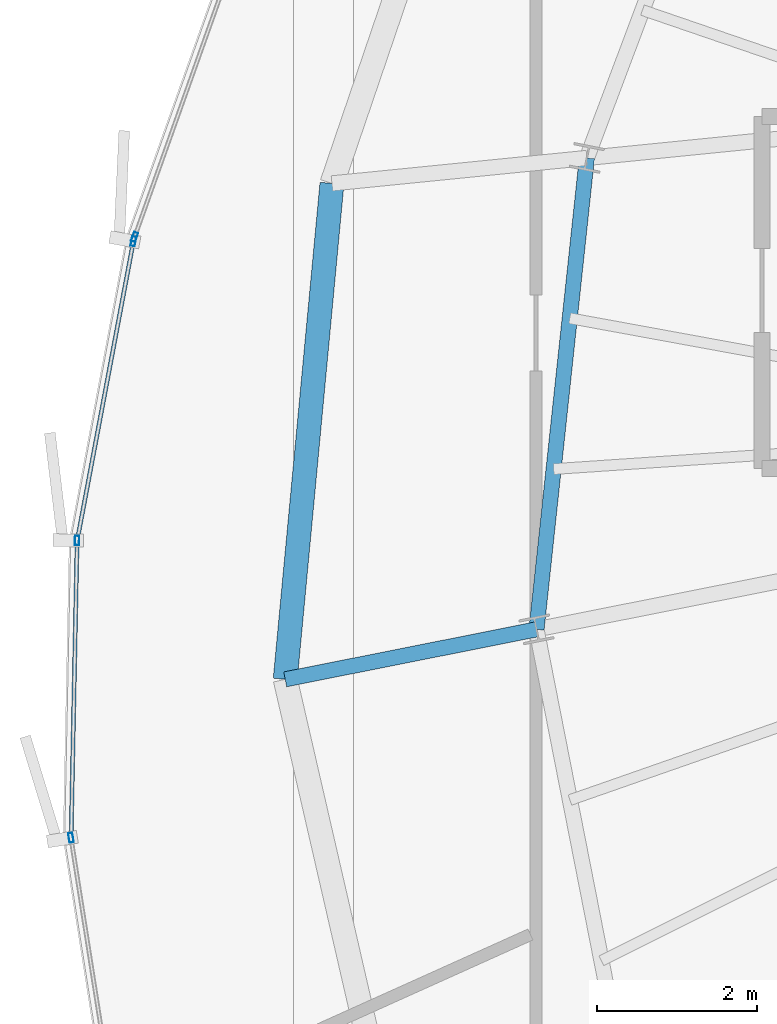
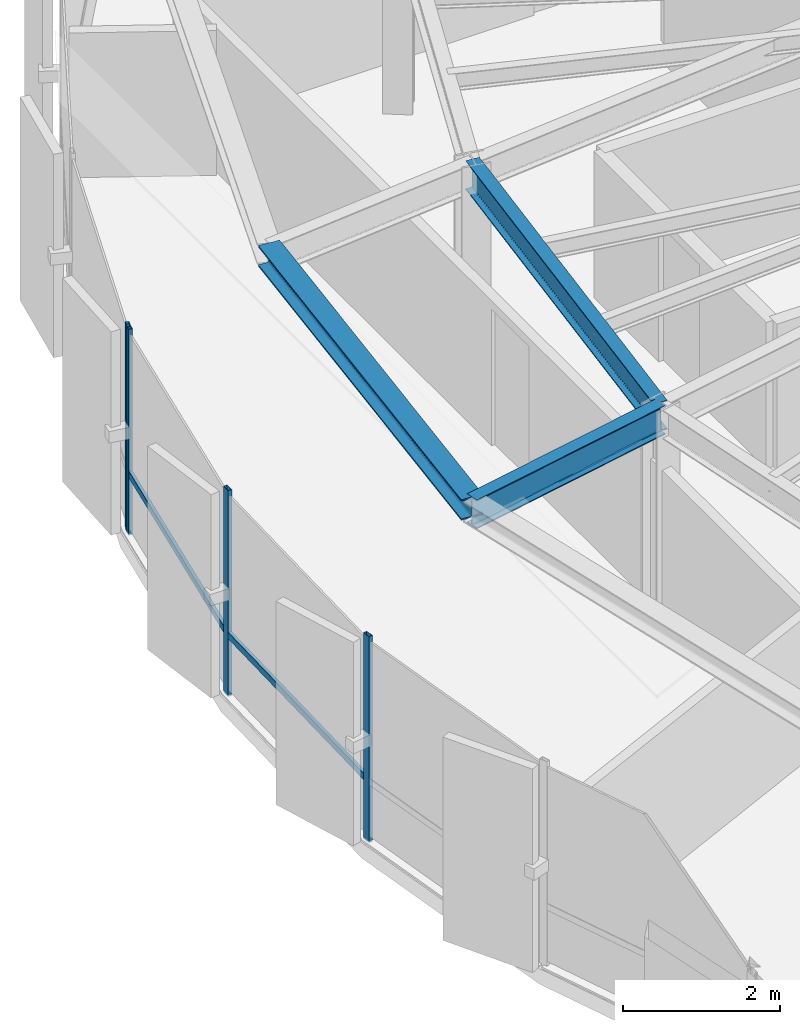
# One storey, part 9 of 33: 6 members, 3 beams, 2 elements without a shape of their own.
"""IFC4 building model written with IfcOpenShell, lengths in metres."""

from ifc_helpers import new_model, si_unit, direction, frame, origin, origin_2d, place, context, subcontext, project, spatial, hollow_rectangle, i_section, extrude, source, transform, mapped, material, layer, layer_set, material_profile, profile_set, type_object, element, aggregate, save


model = new_model("IFC4")

# Units and contexts
model_context = context("Model", 3, precision=1e-05, world=origin(), true_north=direction((0.0, 1.0)))
body_context = subcontext(model_context, "Body", "Model", "MODEL_VIEW")
ifc_project = project(units=[si_unit("LENGTHUNIT", "METRE"), si_unit("AREAUNIT", "SQUARE_METRE"), si_unit("VOLUMEUNIT", "CUBIC_METRE"), si_unit("PLANEANGLEUNIT", "RADIAN"), si_unit("MASSUNIT", "GRAM", prefix="KILO"), si_unit("THERMODYNAMICTEMPERATUREUNIT", "KELVIN")], contexts=[model_context])

# Site, building, storey
site_placement = place(None, origin())
site = spatial("IfcSite", under=ifc_project, at=site_placement, CompositionType="ELEMENT")
building_placement = place(site_placement, origin())
building = spatial("IfcBuilding", under=site, at=building_placement, Name="Kethvar Cultural Tower", CompositionType="ELEMENT")
storey_placement = place(building_placement, frame((0.0, 0.0, 235.300048828125)))
storey = spatial("IfcBuildingStorey", under=building, at=storey_placement, Name="L61", CompositionType="ELEMENT", Elevation=235.300048828125)

# Beams
ifc_material_1 = material(Name="Steel S355J2", Category="steel")
ifc_material_profile_1 = material_profile(ifc_material_1, i_section(OverallWidth=0.18994140625, OverallDepth=0.449951171875, WebThickness=0.009521484375, FlangeThickness=0.0146484375, FilletRadius=0.02099609375, at=origin_2d()), Name="Steel S355J2 — IPE450")
ifc_profile_set_1 = profile_set([ifc_material_profile_1], Name="Steel S355J2 — IPE450")
beam_type_1 = type_object("IfcBeamType", Name="BM-IPE450", PredefinedType="BEAM", material=ifc_profile_set_1)
shared_shape_1 = source(origin(), body_context, "Body", "SweptSolid", [
    extrude(i_section(OverallWidth=0.18994140625, OverallDepth=0.449951171875, WebThickness=0.009521484375, FlangeThickness=0.0146484375, FilletRadius=0.02099609375, at=origin_2d()), origin(), (0.0, 0.0, 1.0), 3.2001953125),
])
beam_1_placement = place(storey_placement, frame((31.68310546875, 24.79296875, 2.98291015625), z_axis=(-0.980788453702, -0.195074368086, 0.0), x_axis=(0.195074368086, -0.980788453702, 0.0)))
element("IfcBeam", 1, at=beam_1_placement, inside=storey, type_object=beam_type_1, Name="L61 Perimeter Cantilever Beam RC-09", PredefinedType="BEAM", context=body_context, shape_type="MappedRepresentation", body=[
    mapped(shared_shape_1, transform((0.0, 0.0, 0.0), scale=1.0)),
])
shared_shape_2 = source(origin(), body_context, "Body", "SweptSolid", [
    extrude(i_section(OverallWidth=0.18994140625, OverallDepth=0.449951171875, WebThickness=0.009521484375, FlangeThickness=0.0146484375, FilletRadius=0.02099609375, at=origin_2d()), origin(), (0.0, 0.0, 1.0), 5.92236328125),
])
beam_2_placement = place(storey_placement, frame((32.3125, 30.681884765625, 2.98291015625), z_axis=(-0.106272578913, -0.994337034899, 0.0), x_axis=(0.994337034899, -0.106272578913, 0.0)))
element("IfcBeam", 2, at=beam_2_placement, inside=storey, type_object=beam_type_1, Name="L61 Column Ring Tie Beam CR-08", PredefinedType="BEAM", context=body_context, shape_type="MappedRepresentation", body=[
    mapped(shared_shape_2, transform((0.0, 0.0, 0.0), scale=1.0)),
])
ifc_material_profile_2 = material_profile(ifc_material_1, i_section(OverallWidth=0.300048828125, OverallDepth=0.320068359375, WebThickness=0.011474609375, FlangeThickness=0.0205078125, FilletRadius=0.027099609375, at=origin_2d()), Name="Steel S355J2 — HEB320")
ifc_profile_set_2 = profile_set([ifc_material_profile_2], Name="Steel S355J2 — HEB320")
beam_type_2 = type_object("IfcBeamType", Name="BM-SP320", PredefinedType="SPANDREL", material=ifc_profile_set_2)
shared_shape_3 = source(origin(), body_context, "Body", "SweptSolid", [
    extrude(i_section(OverallWidth=0.300048828125, OverallDepth=0.320068359375, WebThickness=0.011474609375, FlangeThickness=0.0205078125, FilletRadius=0.027099609375, at=origin_2d()), origin(), (0.0, 0.0, 1.0), 6.222412109375),
])
beam_3_placement = place(storey_placement, frame((29.128173828125, 30.36376953125, 3.0478515625), z_axis=(-0.093811063392, -0.995590018223, 0.0), x_axis=(0.995590018223, -0.093811063392, 0.0)))
element("IfcBeam", 3, at=beam_3_placement, inside=storey, type_object=beam_type_2, Name="L61 Perimeter Spandrel Beam SP-08", PredefinedType="SPANDREL", context=body_context, shape_type="MappedRepresentation", body=[
    mapped(shared_shape_3, transform((0.0, 0.0, 0.0), scale=1.0)),
])

# Curtain wall, member
ifc_material_2 = material(Name="Aluminium 6063-T6", Category="aluminium")
ifc_layer = layer(ifc_material_2, 0.179931640625, Name="Aluminium 6063-T6", Category="aluminium")
ifc_layer_set = layer_set([ifc_layer], Name="Aluminium 6063-T6 (180 mm)")
curtain_wall_type = type_object("IfcCurtainWallType", Name="CW-SYS-05-Z56", PredefinedType="NOTDEFINED", material=ifc_layer_set)
curtain_wall_1_placement = place(storey_placement, origin())
curtain_wall_1 = element("IfcCurtainWall", 4, at=curtain_wall_1_placement, inside=storey, type_object=curtain_wall_type, Name="L61 Curtain Wall Run 02", PredefinedType="NOTDEFINED")
ifc_material_profile_3 = material_profile(ifc_material_2, hollow_rectangle(XDim=0.054931640625, YDim=0.1201171875, WallThickness=0.00390625, at=origin_2d()), Name="Aluminium 6063-T6 — RHS120x55x4")
ifc_profile_set_3 = profile_set([ifc_material_profile_3], Name="Aluminium 6063-T6 — RHS120x55x4")
member_type_1 = type_object("IfcMemberType", Name="CW-SYS-05-Z56-MUL", PredefinedType="MULLION", material=ifc_profile_set_3)
shared_shape_4 = source(origin(), body_context, "Body", "SweptSolid", [
    extrude(hollow_rectangle(XDim=0.054931640625, YDim=0.1201171875, WallThickness=0.00390625, at=origin_2d()), origin(), (0.0, 0.0, 1.0), 3.2099609375),
])
member_1_placement = place(storey_placement, frame((26.66259765625, 29.693603515625, 0.0), z_axis=(0.0, 0.0, 1.0), x_axis=(0.942174490079, -0.335122709234, 0.0)))
member_1 = element("IfcMember", 5, at=member_1_placement, type_object=member_type_1, Name="CW-L61-R02 Mullion 7", PredefinedType="MULLION", context=body_context, shape_type="MappedRepresentation", body=[
    mapped(shared_shape_4, transform((0.0, 0.0, 0.0), scale=1.0)),
])
aggregate(curtain_wall_1, [member_1])

# Curtain wall, members
curtain_wall_2_placement = place(storey_placement, origin())
curtain_wall_2 = element("IfcCurtainWall", 6, at=curtain_wall_2_placement, inside=storey, type_object=curtain_wall_type, Name="L61 Curtain Wall Run 03", PredefinedType="NOTDEFINED")
member_2_placement = place(storey_placement, frame((26.648193359375, 29.639892578125, 0.0), z_axis=(0.0, 0.0, 1.0), x_axis=(0.982793794829, -0.184706136457, 0.0)))
member_2 = element("IfcMember", 7, at=member_2_placement, type_object=member_type_1, Name="CW-L61-R03 Mullion 1", PredefinedType="MULLION", context=body_context, shape_type="MappedRepresentation", body=[
    mapped(shared_shape_4, transform((0.0, 0.0, 0.0), scale=1.0)),
])
member_3_placement = place(storey_placement, frame((25.9443359375, 25.90283203125, 0.0), z_axis=(0.0, 0.0, 1.0), x_axis=(0.999796471292, -0.020174637336, 0.0)))
member_3 = element("IfcMember", 8, at=member_3_placement, type_object=member_type_1, Name="CW-L61-R03 Mullion 2", PredefinedType="MULLION", context=body_context, shape_type="MappedRepresentation", body=[
    mapped(shared_shape_4, transform((0.0, 0.0, 0.0), scale=1.0)),
])
member_4_placement = place(storey_placement, frame((25.867919921875, 22.189453125, 0.0), z_axis=(0.0, 0.0, 1.0), x_axis=(0.987696530131, 0.156382749585, 0.0)))
member_4 = element("IfcMember", 9, at=member_4_placement, type_object=member_type_1, Name="CW-L61-R03 Mullion 3", PredefinedType="MULLION", context=body_context, shape_type="MappedRepresentation", body=[
    mapped(shared_shape_4, transform((0.0, 0.0, 0.0), scale=1.0)),
])
ifc_material_profile_4 = material_profile(ifc_material_2, hollow_rectangle(XDim=0.050048828125, YDim=0.10009765625, WallThickness=0.00390625, at=origin_2d()), Name="Aluminium 6063-T6 — RHS100x50x4")
ifc_profile_set_4 = profile_set([ifc_material_profile_4], Name="Aluminium 6063-T6 — RHS100x50x4")
member_type_2 = type_object("IfcMemberType", Name="CW-SYS-05-Z56-TRN", PredefinedType="USERDEFINED", material=ifc_profile_set_4)
shared_shape_5 = source(origin(), body_context, "Body", "SweptSolid", [
    extrude(hollow_rectangle(XDim=0.050048828125, YDim=0.10009765625, WallThickness=0.00390625, at=origin_2d()), origin(), (0.0, 0.0, 1.0), 3.775634765625),
])
member_5_placement = place(storey_placement, frame((26.6474609375, 29.635986328125, 0.949951171875), z_axis=(-0.184737485217, -0.98278790263, 0.0), x_axis=(0.98278790263, -0.184737485217, 0.0)))
member_5 = element("IfcMember", 10, at=member_5_placement, type_object=member_type_2, Name="CW-L61-R03 Transom 1", ObjectType="TRANSOM", PredefinedType="USERDEFINED", context=body_context, shape_type="MappedRepresentation", body=[
    mapped(shared_shape_5, transform((0.0, 0.0, 0.0), scale=1.0)),
])
shared_shape_6 = source(origin(), body_context, "Body", "SweptSolid", [
    extrude(hollow_rectangle(XDim=0.050048828125, YDim=0.10009765625, WallThickness=0.00390625, at=origin_2d()), origin(), (0.0, 0.0, 1.0), 3.652587890625),
])
member_6_placement = place(storey_placement, frame((25.943603515625, 25.86328125, 0.949951171875), z_axis=(-0.020185751209, -0.999796246966, 0.0), x_axis=(0.999796246966, -0.020185751209, 0.0)))
member_6 = element("IfcMember", 11, at=member_6_placement, type_object=member_type_2, Name="CW-L61-R03 Transom 2", ObjectType="TRANSOM", PredefinedType="USERDEFINED", context=body_context, shape_type="MappedRepresentation", body=[
    mapped(shared_shape_6, transform((0.0, 0.0, 0.0), scale=1.0)),
])
aggregate(curtain_wall_2, [member_2, member_3, member_4, member_5, member_6])

save(model, "model.ifc")
